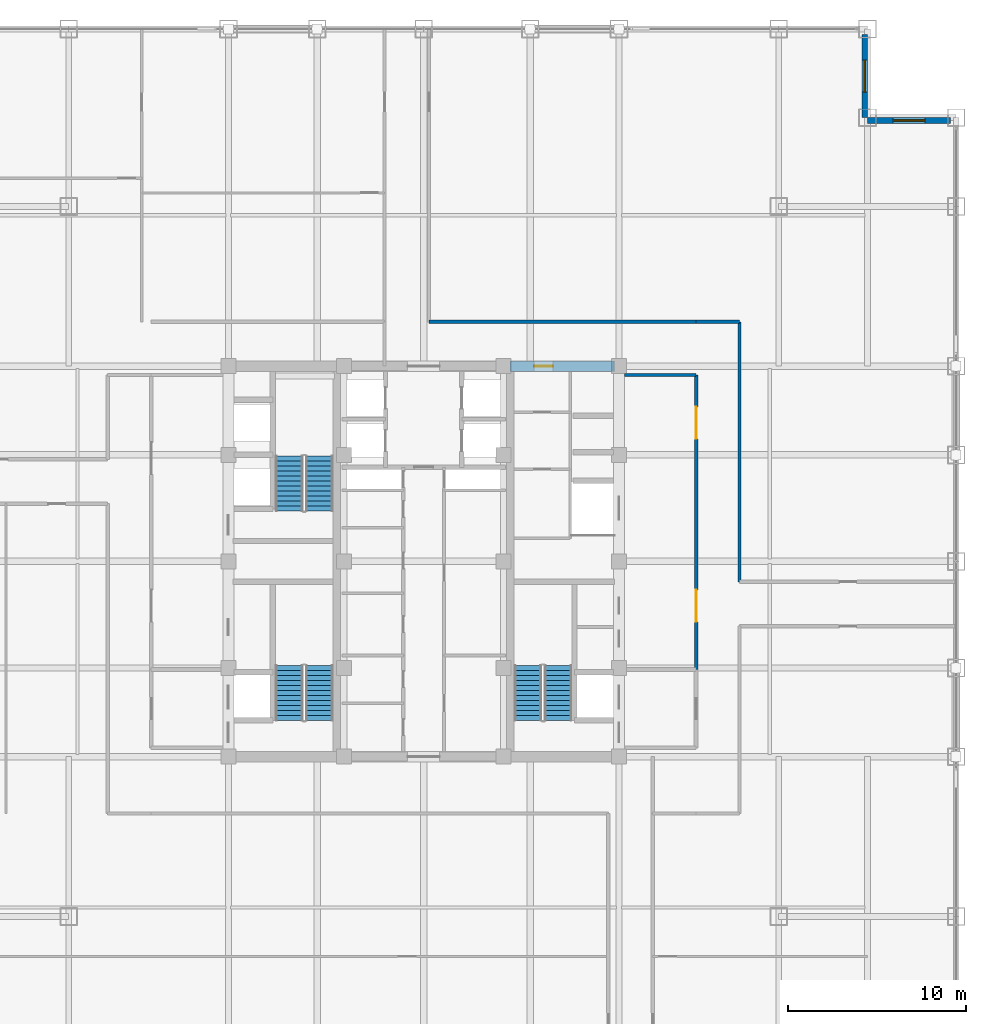
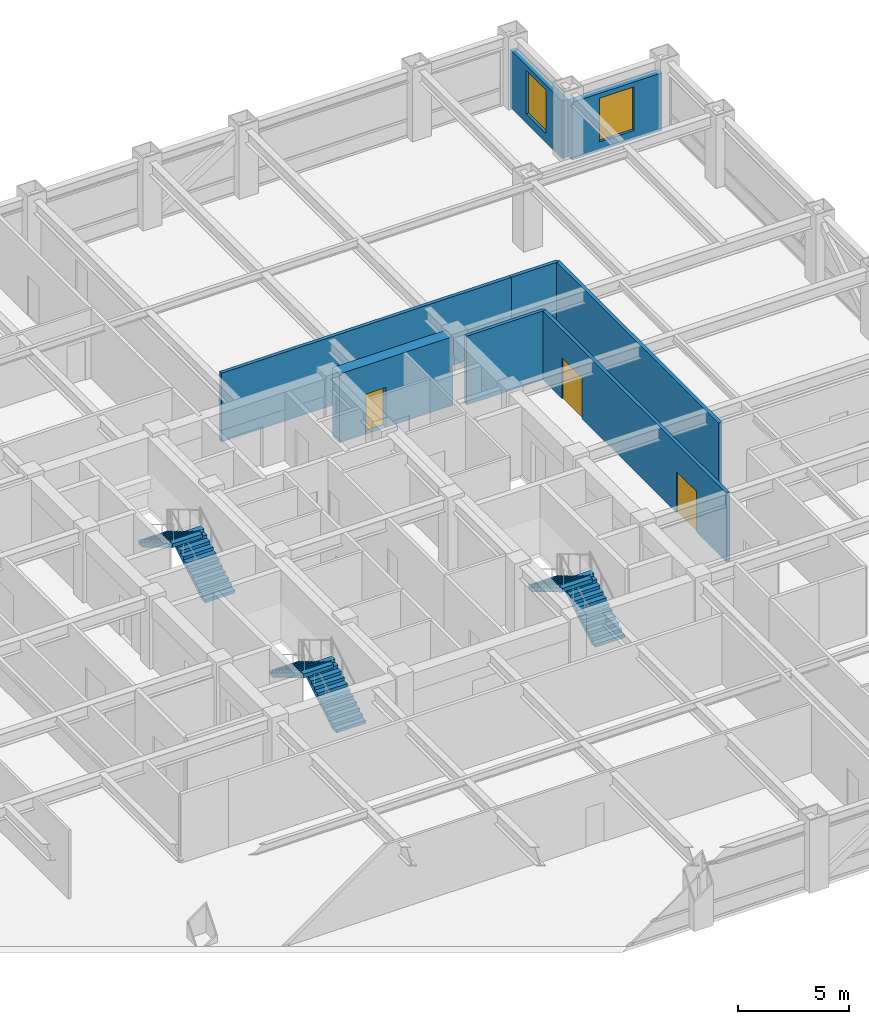
# One storey, part 23 of 24: 8 walls, 6 stair flights, 3 doors, 2 windows, 5 openings, 3 elements without a shape of their own.
"""IFC4 building model written with IfcOpenShell, lengths in metres."""

from ifc_helpers import new_model, si_unit, direction, frame, frame_2d, origin, place, context, subcontext, project, spatial, polyline, rectangle, outline, extrude, source, transform, mapped, material, layer, layer_set, type_object, element, fill, aggregate, save


model = new_model("IFC4")

# Units and contexts
model_context = context("Model", 3, precision=1e-05, world=origin(), true_north=direction((0.0, 1.0)))
body_context = subcontext(model_context, "Body", "Model", "MODEL_VIEW")
ifc_project = project(units=[si_unit("LENGTHUNIT", "METRE"), si_unit("AREAUNIT", "SQUARE_METRE"), si_unit("VOLUMEUNIT", "CUBIC_METRE"), si_unit("PLANEANGLEUNIT", "RADIAN"), si_unit("MASSUNIT", "GRAM", prefix="KILO")], contexts=[model_context])

# Site, building, storey
site_placement = place(None, origin())
site = spatial("IfcSite", under=ifc_project, at=site_placement, CompositionType="ELEMENT")
building_placement = place(site_placement, origin())
building = spatial("IfcBuilding", under=site, at=building_placement, Name="Khorayat Bourse Tower", CompositionType="ELEMENT")
storey_placement = place(building_placement, frame((0.0, 0.0, 259.10009765625)))
storey = spatial("IfcBuildingStorey", under=building, at=storey_placement, Name="L61", CompositionType="ELEMENT", Elevation=259.10009765625)

# Wall, opening, door
ifc_material_1 = material(Name="Concrete C60/75", Category="concrete")
ifc_layer_1 = layer(ifc_material_1, 0.60009765625)
ifc_layer_set_1 = layer_set([ifc_layer_1], Name="Concrete C60/75")
wall_type_1 = type_object("IfcWallType", Name="WAL-CORE-600", PredefinedType="SHEAR", material=ifc_layer_set_1)
shared_shape_1 = source(origin(), body_context, "Body", "SweptSolid", [
    extrude(rectangle(XDim=5.89990234375, YDim=0.60009765625, at=frame_2d((2.949951171875, 0.0))), origin(), (0.0, 0.0, 1.0), 3.77978515625),
])
wall_1_placement = place(storey_placement, frame((4.85009765625, 11.0, 0.0), z_axis=(0.0, 0.0, 1.0), x_axis=(1.0, 0.0, 0.0)))
wall_1 = element("IfcWall", 1, at=wall_1_placement, inside=storey, type_object=wall_type_1, Name="L61 Core Shear Wall PIER-EN", PredefinedType="SHEAR", context=body_context, shape_type="MappedRepresentation", body=[
    mapped(shared_shape_1, transform((0.0, 0.0, 0.0), scale=1.0)),
])
shared_shape_2 = source(origin(), body_context, "Body", "SweptSolid", [
    extrude(rectangle(XDim=1.050048828125, YDim=2.199951171875, at=frame_2d((0.52490234375, 1.10009765625))), frame((0.0, 0.31005859375, 0.0), z_axis=(0.0, -1.0, 0.0), x_axis=(1.0, 0.0, 0.0)), (0.0, 0.0, 1.0), 0.6201171875),
])
opening_1_placement = place(wall_1_placement, frame((1.375, 0.0, 0.0)))
opening_1 = element("IfcOpeningElement", 2, at=opening_1_placement, cuts=wall_1, Name="Opening DI-04", PredefinedType="OPENING", context=body_context, shape_type="MappedRepresentation", body=[
    mapped(shared_shape_2, transform((0.0, 0.0, 0.0), scale=1.0)),
])
ifc_material_2 = material(Name="Fire-rated oak veneer suite entrance door")
door_type_1 = type_object("IfcDoorType", Name="DR-INT-SUITE-1050", OperationType="NOTDEFINED", PredefinedType="DOOR", material=ifc_material_2)
shared_shape_3 = source(origin(), body_context, "Body", "SweptSolid", [
    extrude(rectangle(XDim=1.050048828125, YDim=2.199951171875, at=frame_2d((0.52490234375, 1.10009765625))), frame((0.0, 0.02490234375, 0.0), z_axis=(0.0, -1.0, 0.0), x_axis=(1.0, 0.0, 0.0)), (0.0, 0.0, 1.0), 0.050048828125),
])
door_1_placement = place(opening_1_placement, origin())
door_1 = element("IfcDoor", 3, at=door_1_placement, inside=storey, type_object=door_type_1, Name="L61 Core Washroom Lobby Door", OperationType="SINGLE_SWING_LEFT", OverallHeight=2.199951171875, OverallWidth=1.050048828125, PredefinedType="DOOR", context=body_context, shape_type="MappedRepresentation", body=[
    mapped(shared_shape_3, transform((0.0, 0.0, 0.0), scale=1.0)),
])
fill(opening_1, door_1)

# Wall, opening, window
ifc_material_3 = material(Name="Precast concrete C45/55", Category="concrete")
ifc_layer_2 = layer(ifc_material_3, 0.320068359375)
ifc_layer_set_2 = layer_set([ifc_layer_2], Name="Precast concrete C45/55")
wall_type_2 = type_object("IfcWallType", Name="WAL-EXT-STONE-320", PredefinedType="STANDARD", material=ifc_layer_set_2)
shared_shape_4 = source(origin(), body_context, "Body", "SweptSolid", [
    extrude(rectangle(XDim=4.679931640625, YDim=0.320068359375, at=frame_2d((2.33984375, 0.0))), origin(), (0.0, 0.0, 1.0), 3.163818359375),
])
wall_2_placement = place(storey_placement, frame((25.0, 24.840087890625, 0.0), z_axis=(0.0, 0.0, 1.0), x_axis=(1.0, 0.0, 0.0)))
wall_2 = element("IfcWall", 4, at=wall_2_placement, inside=storey, type_object=wall_type_2, Name="L61 Re-Entrant Notch Limestone Wall NE-H", PredefinedType="STANDARD", context=body_context, shape_type="MappedRepresentation", body=[
    mapped(shared_shape_4, transform((0.0, 0.0, 0.0), scale=1.0)),
])
shared_shape_5 = source(origin(), body_context, "Body", "SweptSolid", [
    extrude(rectangle(XDim=1.800048828125, YDim=2.39990234375, at=frame_2d((0.89990234375, 1.199951171875))), frame((0.0, 0.169921875, 0.0), z_axis=(0.0, -1.0, 0.0), x_axis=(1.0, 0.0, 0.0)), (0.0, 0.0, 1.0), 0.340087890625),
])
opening_2_placement = place(wall_2_placement, frame((1.43994140625, 0.0, 0.5)))
opening_2 = element("IfcOpeningElement", 5, at=opening_2_placement, cuts=wall_2, Name="Opening WN-04", PredefinedType="OPENING", context=body_context, shape_type="MappedRepresentation", body=[
    mapped(shared_shape_5, transform((0.0, 0.0, 0.0), scale=1.0)),
])
ifc_material_4 = material(Name="Low-E acoustic laminated double glazing", Category="glass")
window_type = type_object("IfcWindowType", Name="WIN-NOTCH-1800x2400", PartitioningType="SINGLE_PANEL", PredefinedType="WINDOW", material=ifc_material_4)
shared_shape_6 = source(origin(), body_context, "Body", "SweptSolid", [
    extrude(rectangle(XDim=1.800048828125, YDim=2.39990234375, at=frame_2d((0.89990234375, 1.199951171875))), frame((0.0, 0.030029296875, 0.0), z_axis=(0.0, -1.0, 0.0), x_axis=(1.0, 0.0, 0.0)), (0.0, 0.0, 1.0), 0.06005859375),
])
window_1_placement = place(opening_2_placement, origin())
window_1 = element("IfcWindow", 6, at=window_1_placement, inside=storey, type_object=window_type, Name="L61 Facade Window 1", OverallHeight=2.39990234375, OverallWidth=1.800048828125, PartitioningType="SINGLE_PANEL", PredefinedType="WINDOW", context=body_context, shape_type="MappedRepresentation", body=[
    mapped(shared_shape_6, transform((0.0, 0.0, 0.0), scale=1.0)),
])
fill(opening_2, window_1)

wall_3_placement = place(storey_placement, frame((24.840087890625, 25.0, 0.0), z_axis=(0.0, 0.0, 1.0), x_axis=(0.0, 1.0, 0.0)))
wall_3 = element("IfcWall", 7, at=wall_3_placement, inside=storey, type_object=wall_type_2, Name="L61 Re-Entrant Notch Limestone Wall NE-V", PredefinedType="STANDARD", context=body_context, shape_type="MappedRepresentation", body=[
    mapped(shared_shape_4, transform((0.0, 0.0, 0.0), scale=1.0)),
])
opening_3_placement = place(wall_3_placement, frame((1.43994140625, 0.0, 0.5)))
opening_3 = element("IfcOpeningElement", 8, at=opening_3_placement, cuts=wall_3, Name="Opening WN-04", PredefinedType="OPENING", context=body_context, shape_type="MappedRepresentation", body=[
    mapped(shared_shape_5, transform((0.0, 0.0, 0.0), scale=1.0)),
])
window_2_placement = place(opening_3_placement, origin())
window_2 = element("IfcWindow", 9, at=window_2_placement, inside=storey, type_object=window_type, Name="L61 Facade Window 1", OverallHeight=2.39990234375, OverallWidth=1.800048828125, PartitioningType="SINGLE_PANEL", PredefinedType="WINDOW", context=body_context, shape_type="MappedRepresentation", body=[
    mapped(shared_shape_6, transform((0.0, 0.0, 0.0), scale=1.0)),
])
fill(opening_3, window_2)

# Wall
ifc_material_5 = material(Name="Gypsum plasterboard acoustic stud wall")
ifc_layer_3 = layer(ifc_material_5, 0.179931640625)
ifc_layer_set_3 = layer_set([ifc_layer_3], Name="Gypsum plasterboard acoustic stud wall")
wall_type_3 = type_object("IfcWallType", Name="WAL-PART-CORR-180", PredefinedType="PARTITIONING", material=ifc_layer_set_3)
shared_shape_7 = source(origin(), body_context, "Body", "SweptSolid", [
    extrude(rectangle(XDim=4.050048828125, YDim=0.179931640625, at=frame_2d((2.02490234375, 0.0))), origin(), (0.0, 0.0, 1.0), 3.77978515625),
])
wall_4_placement = place(storey_placement, frame((11.300048828125, 10.5, 0.0), z_axis=(0.0, 0.0, 1.0), x_axis=(1.0, 0.0, 0.0)))
element("IfcWall", 10, at=wall_4_placement, inside=storey, type_object=wall_type_3, Name="L61 Partition WAL-L61-ELOB-N", PredefinedType="PARTITIONING", context=body_context, shape_type="MappedRepresentation", body=[
    mapped(shared_shape_7, transform((0.0, 0.0, 0.0), scale=1.0)),
])

# Wall, openings, doors
shared_shape_8 = source(origin(), body_context, "Body", "SweptSolid", [
    extrude(rectangle(XDim=16.60009765625, YDim=0.179931640625, at=frame_2d((8.300048828125, 0.0))), origin(), (0.0, 0.0, 1.0), 3.77978515625),
])
wall_5_placement = place(storey_placement, frame((15.35009765625, -6.10009765625, 0.0), z_axis=(0.0, 0.0, 1.0), x_axis=(0.0, 1.0, 0.0)))
wall_5 = element("IfcWall", 11, at=wall_5_placement, inside=storey, type_object=wall_type_3, Name="L61 Partition WAL-L61-ELOB-E", PredefinedType="PARTITIONING", context=body_context, shape_type="MappedRepresentation", body=[
    mapped(shared_shape_8, transform((0.0, 0.0, 0.0), scale=1.0)),
])
shared_shape_9 = source(origin(), body_context, "Body", "SweptSolid", [
    extrude(rectangle(XDim=1.800048828125, YDim=2.25, at=frame_2d((0.89990234375, 1.125))), frame((0.0, 0.099853515625, 0.0), z_axis=(0.0, -1.0, 0.0), x_axis=(1.0, 0.0, 0.0)), (0.0, 0.0, 1.0), 0.199951171875),
])
opening_4_placement = place(wall_5_placement, frame((2.699951171875, 0.0, 0.0)))
opening_4 = element("IfcOpeningElement", 12, at=opening_4_placement, cuts=wall_5, Name="Opening DI-03", PredefinedType="OPENING", context=body_context, shape_type="MappedRepresentation", body=[
    mapped(shared_shape_9, transform((0.0, 0.0, 0.0), scale=1.0)),
])
opening_5_placement = place(wall_5_placement, frame((13.0, 0.0, 0.0)))
opening_5 = element("IfcOpeningElement", 13, at=opening_5_placement, cuts=wall_5, Name="Opening DI-03", PredefinedType="OPENING", context=body_context, shape_type="MappedRepresentation", body=[
    mapped(shared_shape_9, transform((0.0, 0.0, 0.0), scale=1.0)),
])
ifc_material_6 = material(Name="Fire-rated hardwood vision-panel double leaf", Category="wood")
door_type_2 = type_object("IfcDoorType", Name="DR-INT-CORR-1800", OperationType="NOTDEFINED", PredefinedType="DOOR", material=ifc_material_6)
shared_shape_10 = source(origin(), body_context, "Body", "SweptSolid", [
    extrude(rectangle(XDim=1.800048828125, YDim=2.25, at=frame_2d((0.89990234375, 1.125))), frame((0.0, 0.02490234375, 0.0), z_axis=(0.0, -1.0, 0.0), x_axis=(1.0, 0.0, 0.0)), (0.0, 0.0, 1.0), 0.050048828125),
])
door_2_placement = place(opening_4_placement, origin())
door_2 = element("IfcDoor", 14, at=door_2_placement, inside=storey, type_object=door_type_2, Name="L61 East Core Lobby South Door", OperationType="SINGLE_SWING_RIGHT", OverallHeight=2.25, OverallWidth=1.800048828125, PredefinedType="DOOR", context=body_context, shape_type="MappedRepresentation", body=[
    mapped(shared_shape_10, transform((0.0, 0.0, 0.0), scale=1.0)),
])
fill(opening_4, door_2)
door_3_placement = place(opening_5_placement, origin())
door_3 = element("IfcDoor", 15, at=door_3_placement, inside=storey, type_object=door_type_2, Name="L61 East Core Lobby North Door", OperationType="SINGLE_SWING_LEFT", OverallHeight=2.25, OverallWidth=1.800048828125, PredefinedType="DOOR", context=body_context, shape_type="MappedRepresentation", body=[
    mapped(shared_shape_10, transform((0.0, 0.0, 0.0), scale=1.0)),
])
fill(opening_5, door_3)

# Walls
shared_shape_11 = source(origin(), body_context, "Body", "SweptSolid", [
    extrude(rectangle(XDim=2.449951171875, YDim=0.179931640625, at=frame_2d((1.22509765625, 0.0))), origin(), (0.0, 0.0, 1.0), 3.77978515625),
])
wall_6_placement = place(storey_placement, frame((15.35009765625, 13.5, 0.0), z_axis=(0.0, 0.0, 1.0), x_axis=(1.0, 0.0, 0.0)))
element("IfcWall", 16, at=wall_6_placement, inside=storey, type_object=wall_type_3, Name="L61 Partition WAL-L61-C2-EN", PredefinedType="PARTITIONING", context=body_context, shape_type="MappedRepresentation", body=[
    mapped(shared_shape_11, transform((0.0, 0.0, 0.0), scale=1.0)),
])
shared_shape_12 = source(origin(), body_context, "Body", "SweptSolid", [
    extrude(rectangle(XDim=15.050048828125, YDim=0.179931640625, at=frame_2d((7.52490234375, 0.0))), origin(), (0.0, 0.0, 1.0), 3.77978515625),
])
wall_7_placement = place(storey_placement, frame((0.300048828125, 13.5, 0.0), z_axis=(0.0, 0.0, 1.0), x_axis=(1.0, 0.0, 0.0)))
element("IfcWall", 17, at=wall_7_placement, inside=storey, type_object=wall_type_3, Name="L61 Partition WAL-L61-QNE-HC", PredefinedType="PARTITIONING", context=body_context, shape_type="MappedRepresentation", body=[
    mapped(shared_shape_12, transform((0.0, 0.0, 0.0), scale=1.0)),
])
shared_shape_13 = source(origin(), body_context, "Body", "SweptSolid", [
    extrude(rectangle(XDim=14.64990234375, YDim=0.179931640625, at=frame_2d((7.324951171875, 0.0))), origin(), (0.0, 0.0, 1.0), 3.77978515625),
])
wall_8_placement = place(storey_placement, frame((17.800048828125, -1.14990234375, 0.0), z_axis=(0.0, 0.0, 1.0), x_axis=(0.0, 1.0, 0.0)))
element("IfcWall", 18, at=wall_8_placement, inside=storey, type_object=wall_type_3, Name="L61 Partition WAL-L61-EN-IN", PredefinedType="PARTITIONING", context=body_context, shape_type="MappedRepresentation", body=[
    mapped(shared_shape_13, transform((0.0, 0.0, 0.0), scale=1.0)),
])

# Stair, stair flights
ifc_material_7 = material(Name="Concrete C40/50", Category="concrete")
stair_type = type_object("IfcStairType", Name="STR-CORE-1550", PredefinedType="HALF_TURN_STAIR", material=ifc_material_7)
stair_1_placement = place(storey_placement, origin())
stair_1 = element("IfcStair", 19, at=stair_1_placement, inside=storey, type_object=stair_type, Name="L61 Exit Stair ST-1", PredefinedType="HALF_TURN_STAIR")
stair_flight_type = type_object("IfcStairFlightType", Name="FLT-CORE-1550", PredefinedType="STRAIGHT", material=ifc_material_7)
shared_shape_14 = source(origin(), body_context, "Body", "SweptSolid", [
    extrude(outline(polyline([(0.0, 0.0), (0.0, 0.166748046875), (0.280029296875, 0.166748046875), (0.280029296875, 0.333251953125), (0.56005859375, 0.333251953125), (0.56005859375, 0.5), (0.840087890625, 0.5), (0.840087890625, 0.666748046875), (1.1201171875, 0.666748046875), (1.1201171875, 0.833251953125), (1.39990234375, 0.833251953125), (1.39990234375, 1.0), (1.679931640625, 1.0), (1.679931640625, 1.166748046875), (1.9599609375, 1.166748046875), (1.9599609375, 1.333251953125), (2.239990234375, 1.333251953125), (2.239990234375, 1.5), (2.52001953125, 1.5), (2.52001953125, 1.666748046875), (2.800048828125, 1.666748046875), (2.800048828125, 1.833251953125), (3.080078125, 1.833251953125), (3.080078125, 2.0), (3.080078125, 1.6240234375), (0.351806640625, 0.0), (0.0, 0.0)])), frame((0.0, 0.77490234375, 0.0), z_axis=(0.0, -1.0, 0.0), x_axis=(1.0, 0.0, 0.0)), (0.0, 0.0, 1.0), 1.550048828125),
])
stair_flight_1_placement = place(storey_placement, frame((-5.875, -8.949951171875, 0.0), z_axis=(0.0, 0.0, 1.0), x_axis=(0.0, 1.0, 0.0)))
stair_flight_1 = element("IfcStairFlight", 20, at=stair_flight_1_placement, type_object=stair_flight_type, Name="ST-1 flight 1", NumberOfRisers=12, NumberOfTreads=11, PredefinedType="STRAIGHT", RiserHeight=0.166666667, TreadLength=0.28, context=body_context, shape_type="MappedRepresentation", body=[
    mapped(shared_shape_14, transform((0.0, 0.0, 0.0), scale=1.0)),
])
stair_flight_2_placement = place(storey_placement, frame((-7.574951171875, -5.8701171875, 2.0), z_axis=(0.0, 0.0, 1.0), x_axis=(0.0, -1.0, 0.0)))
stair_flight_2 = element("IfcStairFlight", 21, at=stair_flight_2_placement, type_object=stair_flight_type, Name="ST-1 flight 2", NumberOfRisers=12, NumberOfTreads=11, PredefinedType="STRAIGHT", RiserHeight=0.166666667, TreadLength=0.28, context=body_context, shape_type="MappedRepresentation", body=[
    mapped(shared_shape_14, transform((0.0, 0.0, 0.0), scale=1.0)),
])
aggregate(stair_1, [stair_flight_1, stair_flight_2])

stair_2_placement = place(storey_placement, origin())
stair_2 = element("IfcStair", 22, at=stair_2_placement, inside=storey, type_object=stair_type, Name="L61 Exit Stair ST-2", PredefinedType="HALF_TURN_STAIR")
stair_flight_3_placement = place(storey_placement, frame((-5.875, 2.85009765625, 0.0), z_axis=(0.0, 0.0, 1.0), x_axis=(0.0, 1.0, 0.0)))
stair_flight_3 = element("IfcStairFlight", 23, at=stair_flight_3_placement, type_object=stair_flight_type, Name="ST-2 flight 1", NumberOfRisers=12, NumberOfTreads=11, PredefinedType="STRAIGHT", RiserHeight=0.166666667, TreadLength=0.28, context=body_context, shape_type="MappedRepresentation", body=[
    mapped(shared_shape_14, transform((0.0, 0.0, 0.0), scale=1.0)),
])
stair_flight_4_placement = place(storey_placement, frame((-7.574951171875, 5.929931640625, 2.0), z_axis=(0.0, 0.0, 1.0), x_axis=(0.0, -1.0, 0.0)))
stair_flight_4 = element("IfcStairFlight", 24, at=stair_flight_4_placement, type_object=stair_flight_type, Name="ST-2 flight 2", NumberOfRisers=12, NumberOfTreads=11, PredefinedType="STRAIGHT", RiserHeight=0.166666667, TreadLength=0.28, context=body_context, shape_type="MappedRepresentation", body=[
    mapped(shared_shape_14, transform((0.0, 0.0, 0.0), scale=1.0)),
])
aggregate(stair_2, [stair_flight_3, stair_flight_4])

stair_3_placement = place(storey_placement, origin())
stair_3 = element("IfcStair", 25, at=stair_3_placement, inside=storey, type_object=stair_type, Name="L61 Exit Stair ST-3", PredefinedType="HALF_TURN_STAIR")
stair_flight_5_placement = place(storey_placement, frame((7.574951171875, -8.949951171875, 0.0), z_axis=(0.0, 0.0, 1.0), x_axis=(0.0, 1.0, 0.0)))
stair_flight_5 = element("IfcStairFlight", 26, at=stair_flight_5_placement, type_object=stair_flight_type, Name="ST-3 flight 1", NumberOfRisers=12, NumberOfTreads=11, PredefinedType="STRAIGHT", RiserHeight=0.166666667, TreadLength=0.28, context=body_context, shape_type="MappedRepresentation", body=[
    mapped(shared_shape_14, transform((0.0, 0.0, 0.0), scale=1.0)),
])
stair_flight_6_placement = place(storey_placement, frame((5.875, -5.8701171875, 2.0), z_axis=(0.0, 0.0, 1.0), x_axis=(0.0, -1.0, 0.0)))
stair_flight_6 = element("IfcStairFlight", 27, at=stair_flight_6_placement, type_object=stair_flight_type, Name="ST-3 flight 2", NumberOfRisers=12, NumberOfTreads=11, PredefinedType="STRAIGHT", RiserHeight=0.166666667, TreadLength=0.28, context=body_context, shape_type="MappedRepresentation", body=[
    mapped(shared_shape_14, transform((0.0, 0.0, 0.0), scale=1.0)),
])
aggregate(stair_3, [stair_flight_5, stair_flight_6])

save(model, "model.ifc")
